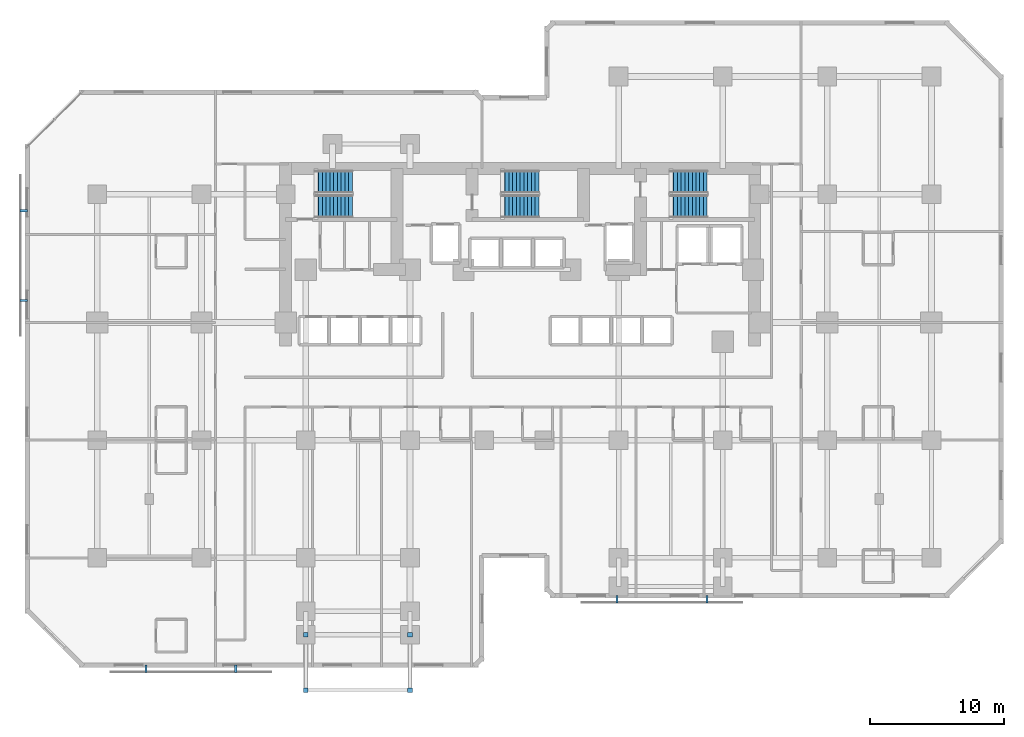
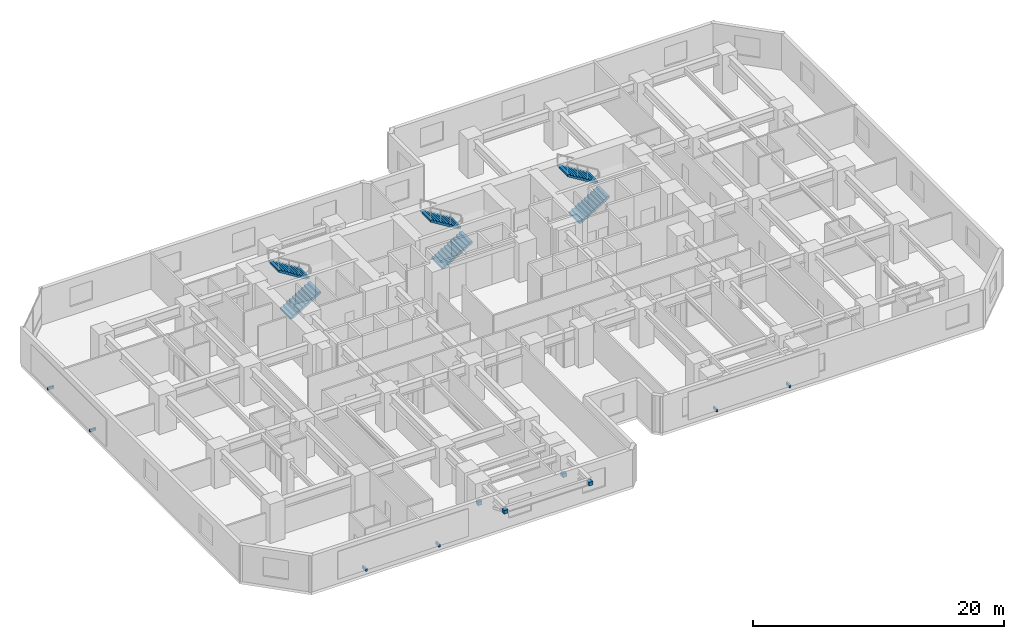
# One storey, part 10 of 12: 10 discrete accessories, 6 stair flights, 3 elements without a shape of their own.
"""IFC4 building model written with IfcOpenShell, lengths in metres."""

from ifc_helpers import new_model, si_unit, direction, frame, origin, origin_2d, place, context, subcontext, project, spatial, polyline, rectangle, outline, extrude, material, type_object, element, aggregate, save


model = new_model("IFC4")

# Units and contexts
model_context = context("Model", 3, precision=1e-05, world=origin(), true_north=direction((0.0, 1.0)))
body_context = subcontext(model_context, "Body", "Model", "MODEL_VIEW")
ifc_project = project(units=[si_unit("LENGTHUNIT", "METRE"), si_unit("AREAUNIT", "SQUARE_METRE"), si_unit("VOLUMEUNIT", "CUBIC_METRE"), si_unit("PLANEANGLEUNIT", "RADIAN"), si_unit("MASSUNIT", "GRAM", prefix="KILO")], contexts=[model_context])

# Site, building, storey
site_placement = place(None, origin())
site = spatial("IfcSite", under=ifc_project, at=site_placement, CompositionType="ELEMENT")
building_placement = place(site_placement, origin())
building = spatial("IfcBuilding", under=site, at=building_placement, Name="Kestravale Grand Hotel", CompositionType="ELEMENT")
storey_placement = place(building_placement, frame((0.0, 0.0, 26.0)))
storey = spatial("IfcBuildingStorey", under=building, at=storey_placement, Name="L05", CompositionType="ELEMENT", Elevation=26.0)

# Stair, stair flights
ifc_material_1 = material(Name="Concrete f'c 45 MPa", Category="concrete")
stair_type = type_object("IfcStairType", Name="ST-CORE-380", PredefinedType="HALF_TURN_STAIR", material=ifc_material_1)
stair_1_placement = place(storey_placement, origin())
stair_1 = element("IfcStair", 1, at=stair_1_placement, inside=storey, type_object=stair_type, Name="L05 ST-1", PredefinedType="HALF_TURN_STAIR")
ifc_material_2 = material(Name="Concrete f'c 45 MPa", Category="concrete")
stair_flight_type = type_object("IfcStairFlightType", Name="STF-CORE-380", PredefinedType="STRAIGHT", material=ifc_material_2)
stair_flight_1_placement = place(storey_placement, frame((24.080078125, 37.489990234375, 0.0), z_axis=(0.0, 0.0, 1.0), x_axis=(1.0, 0.0, 0.0)))
stair_flight_1 = element("IfcStairFlight", 2, at=stair_flight_1_placement, type_object=stair_flight_type, Name="ST-1 flight 1", NumberOfRisers=11, NumberOfTreads=10, PredefinedType="STRAIGHT", RiserHeight=0.172727273, TreadLength=0.28, context=body_context, shape_type="SweptSolid", body=[
    extrude(outline(polyline([(0.0, 0.0), (0.0, 0.172607421875), (0.280029296875, 0.172607421875), (0.280029296875, 0.345458984375), (0.56005859375, 0.345458984375), (0.56005859375, 0.51806640625), (0.840087890625, 0.51806640625), (0.840087890625, 0.69091796875), (1.1201171875, 0.69091796875), (1.1201171875, 0.863525390625), (1.39990234375, 0.863525390625), (1.39990234375, 1.036376953125), (1.679931640625, 1.036376953125), (1.679931640625, 1.208984375), (1.9599609375, 1.208984375), (1.9599609375, 1.3818359375), (2.239990234375, 1.3818359375), (2.239990234375, 1.554443359375), (2.52001953125, 1.554443359375), (2.52001953125, 1.727294921875), (2.800048828125, 1.727294921875), (2.800048828125, 1.89990234375), (2.800048828125, 1.551025390625), (0.285400390625, 0.0), (0.0, 0.0)])), frame((0.0, 0.83984375, 0.0), z_axis=(0.0, -1.0, 0.0), x_axis=(1.0, 0.0, 0.0)), (0.0, 0.0, 1.0), 1.679931640625),
])
stair_flight_2_placement = place(storey_placement, frame((26.8798828125, 39.320068359375, 1.89990234375), z_axis=(0.0, 0.0, 1.0), x_axis=(-1.0, 0.0, 0.0)))
stair_flight_2 = element("IfcStairFlight", 3, at=stair_flight_2_placement, type_object=stair_flight_type, Name="ST-1 flight 2", NumberOfRisers=11, NumberOfTreads=10, PredefinedType="STRAIGHT", RiserHeight=0.172727273, TreadLength=0.28, context=body_context, shape_type="SweptSolid", body=[
    extrude(outline(polyline([(0.0, 0.0), (0.0, 0.172607421875), (0.280029296875, 0.172607421875), (0.280029296875, 0.345458984375), (0.56005859375, 0.345458984375), (0.56005859375, 0.51806640625), (0.840087890625, 0.51806640625), (0.840087890625, 0.69091796875), (1.1201171875, 0.69091796875), (1.1201171875, 0.863525390625), (1.39990234375, 0.863525390625), (1.39990234375, 1.036376953125), (1.679931640625, 1.036376953125), (1.679931640625, 1.208984375), (1.9599609375, 1.208984375), (1.9599609375, 1.3818359375), (2.239990234375, 1.3818359375), (2.239990234375, 1.554443359375), (2.52001953125, 1.554443359375), (2.52001953125, 1.727294921875), (2.800048828125, 1.727294921875), (2.800048828125, 1.89990234375), (2.800048828125, 1.551025390625), (0.285400390625, 0.0), (0.0, 0.0)])), frame((0.0, 0.83984375, 0.0), z_axis=(0.0, -1.0, 0.0), x_axis=(1.0, 0.0, 0.0)), (0.0, 0.0, 1.0), 1.679931640625),
])
aggregate(stair_1, [stair_flight_1, stair_flight_2])

stair_2_placement = place(storey_placement, origin())
stair_2 = element("IfcStair", 4, at=stair_2_placement, inside=storey, type_object=stair_type, Name="L05 ST-2", PredefinedType="HALF_TURN_STAIR")
stair_flight_3_placement = place(storey_placement, frame((38.030029296875, 37.489990234375, 0.0), z_axis=(0.0, 0.0, 1.0), x_axis=(1.0, 0.0, 0.0)))
stair_flight_3 = element("IfcStairFlight", 5, at=stair_flight_3_placement, type_object=stair_flight_type, Name="ST-2 flight 1", NumberOfRisers=11, NumberOfTreads=10, PredefinedType="STRAIGHT", RiserHeight=0.172727273, TreadLength=0.28, context=body_context, shape_type="SweptSolid", body=[
    extrude(outline(polyline([(0.0, 0.0), (0.0, 0.172607421875), (0.280029296875, 0.172607421875), (0.280029296875, 0.345458984375), (0.56005859375, 0.345458984375), (0.56005859375, 0.51806640625), (0.840087890625, 0.51806640625), (0.840087890625, 0.69091796875), (1.1201171875, 0.69091796875), (1.1201171875, 0.863525390625), (1.39990234375, 0.863525390625), (1.39990234375, 1.036376953125), (1.679931640625, 1.036376953125), (1.679931640625, 1.208984375), (1.9599609375, 1.208984375), (1.9599609375, 1.3818359375), (2.239990234375, 1.3818359375), (2.239990234375, 1.554443359375), (2.52001953125, 1.554443359375), (2.52001953125, 1.727294921875), (2.800048828125, 1.727294921875), (2.800048828125, 1.89990234375), (2.800048828125, 1.551025390625), (0.285400390625, 0.0), (0.0, 0.0)])), frame((0.0, 0.83984375, 0.0), z_axis=(0.0, -1.0, 0.0), x_axis=(1.0, 0.0, 0.0)), (0.0, 0.0, 1.0), 1.679931640625),
])
stair_flight_4_placement = place(storey_placement, frame((40.830078125, 39.320068359375, 1.89990234375), z_axis=(0.0, 0.0, 1.0), x_axis=(-1.0, 0.0, 0.0)))
stair_flight_4 = element("IfcStairFlight", 6, at=stair_flight_4_placement, type_object=stair_flight_type, Name="ST-2 flight 2", NumberOfRisers=11, NumberOfTreads=10, PredefinedType="STRAIGHT", RiserHeight=0.172727273, TreadLength=0.28, context=body_context, shape_type="SweptSolid", body=[
    extrude(outline(polyline([(0.0, 0.0), (0.0, 0.172607421875), (0.280029296875, 0.172607421875), (0.280029296875, 0.345458984375), (0.56005859375, 0.345458984375), (0.56005859375, 0.51806640625), (0.840087890625, 0.51806640625), (0.840087890625, 0.69091796875), (1.1201171875, 0.69091796875), (1.1201171875, 0.863525390625), (1.39990234375, 0.863525390625), (1.39990234375, 1.036376953125), (1.679931640625, 1.036376953125), (1.679931640625, 1.208984375), (1.9599609375, 1.208984375), (1.9599609375, 1.3818359375), (2.239990234375, 1.3818359375), (2.239990234375, 1.554443359375), (2.52001953125, 1.554443359375), (2.52001953125, 1.727294921875), (2.800048828125, 1.727294921875), (2.800048828125, 1.89990234375), (2.800048828125, 1.551025390625), (0.285400390625, 0.0), (0.0, 0.0)])), frame((0.0, 0.83984375, 0.0), z_axis=(0.0, -1.0, 0.0), x_axis=(1.0, 0.0, 0.0)), (0.0, 0.0, 1.0), 1.679931640625),
])
aggregate(stair_2, [stair_flight_3, stair_flight_4])

stair_3_placement = place(storey_placement, origin())
stair_3 = element("IfcStair", 7, at=stair_3_placement, inside=storey, type_object=stair_type, Name="L05 ST-3", PredefinedType="HALF_TURN_STAIR")
stair_flight_5_placement = place(storey_placement, frame((50.6298828125, 37.489990234375, 0.0), z_axis=(0.0, 0.0, 1.0), x_axis=(1.0, 0.0, 0.0)))
stair_flight_5 = element("IfcStairFlight", 8, at=stair_flight_5_placement, type_object=stair_flight_type, Name="ST-3 flight 1", NumberOfRisers=11, NumberOfTreads=10, PredefinedType="STRAIGHT", RiserHeight=0.172727273, TreadLength=0.28, context=body_context, shape_type="SweptSolid", body=[
    extrude(outline(polyline([(0.0, 0.0), (0.0, 0.172607421875), (0.280029296875, 0.172607421875), (0.280029296875, 0.345458984375), (0.56005859375, 0.345458984375), (0.56005859375, 0.51806640625), (0.840087890625, 0.51806640625), (0.840087890625, 0.69091796875), (1.1201171875, 0.69091796875), (1.1201171875, 0.863525390625), (1.39990234375, 0.863525390625), (1.39990234375, 1.036376953125), (1.679931640625, 1.036376953125), (1.679931640625, 1.208984375), (1.9599609375, 1.208984375), (1.9599609375, 1.3818359375), (2.239990234375, 1.3818359375), (2.239990234375, 1.554443359375), (2.52001953125, 1.554443359375), (2.52001953125, 1.727294921875), (2.800048828125, 1.727294921875), (2.800048828125, 1.89990234375), (2.800048828125, 1.551025390625), (0.285400390625, 0.0), (0.0, 0.0)])), frame((0.0, 0.83984375, 0.0), z_axis=(0.0, -1.0, 0.0), x_axis=(1.0, 0.0, 0.0)), (0.0, 0.0, 1.0), 1.679931640625),
])
stair_flight_6_placement = place(storey_placement, frame((53.429931640625, 39.320068359375, 1.89990234375), z_axis=(0.0, 0.0, 1.0), x_axis=(-1.0, 0.0, 0.0)))
stair_flight_6 = element("IfcStairFlight", 9, at=stair_flight_6_placement, type_object=stair_flight_type, Name="ST-3 flight 2", NumberOfRisers=11, NumberOfTreads=10, PredefinedType="STRAIGHT", RiserHeight=0.172727273, TreadLength=0.28, context=body_context, shape_type="SweptSolid", body=[
    extrude(outline(polyline([(0.0, 0.0), (0.0, 0.172607421875), (0.280029296875, 0.172607421875), (0.280029296875, 0.345458984375), (0.56005859375, 0.345458984375), (0.56005859375, 0.51806640625), (0.840087890625, 0.51806640625), (0.840087890625, 0.69091796875), (1.1201171875, 0.69091796875), (1.1201171875, 0.863525390625), (1.39990234375, 0.863525390625), (1.39990234375, 1.036376953125), (1.679931640625, 1.036376953125), (1.679931640625, 1.208984375), (1.9599609375, 1.208984375), (1.9599609375, 1.3818359375), (2.239990234375, 1.3818359375), (2.239990234375, 1.554443359375), (2.52001953125, 1.554443359375), (2.52001953125, 1.727294921875), (2.800048828125, 1.727294921875), (2.800048828125, 1.89990234375), (2.800048828125, 1.551025390625), (0.285400390625, 0.0), (0.0, 0.0)])), frame((0.0, 0.83984375, 0.0), z_axis=(0.0, -1.0, 0.0), x_axis=(1.0, 0.0, 0.0)), (0.0, 0.0, 1.0), 1.679931640625),
])
aggregate(stair_3, [stair_flight_5, stair_flight_6])

# Discrete accessories
ifc_material_3 = material(Name="Steel ASTM A572 Grade 50 hot-dip galvanised bracket", Category="steel")
discrete_accessory_type = type_object("IfcDiscreteAccessoryType", Name="ACC-BRK-STL", PredefinedType="BRACKET", material=ifc_material_3)
for number, where, z_axis, x_axis, name in (
    (10, (23.39990234375, 5.449951171875, 1.19384765625), (0.0, 0.0, 1.0), (1.0, 0.0, 0.0), "L06 terrace strut column bracket 1"),
    (11, (23.39990234375, 1.300048828125, 2.89404296875), (0.0, 0.0, 1.0), (1.0, 0.0, 0.0), "L06 terrace strut beam bracket 1"),
    (12, (31.199951171875, 5.449951171875, 1.19384765625), (0.0, 0.0, 1.0), (1.0, 0.0, 0.0), "L06 terrace strut column bracket 2"),
    (13, (31.199951171875, 1.300048828125, 2.89404296875), (0.0, 0.0, 1.0), (1.0, 0.0, 0.0), "L06 terrace strut beam bracket 2"),
):
    element("IfcDiscreteAccessory", number, at=place(storey_placement, frame(where, z_axis=z_axis, x_axis=x_axis)), inside=storey, type_object=discrete_accessory_type, Name=name, PredefinedType="BRACKET", context=body_context, shape_type="SweptSolid", body=[
        extrude(rectangle(XDim=0.360107421875, YDim=0.360107421875, at=origin_2d()), origin(), (0.0, 0.0, 1.0), 0.360107421875),
    ])
for number, where, z_axis, x_axis, name in (
    (14, (11.43994140625, 2.905029296875, 0.56005859375), (0.0, 0.0, 1.0), (1.0, 0.0, 0.0), "L05 solar screen standoff bracket 1"),
    (15, (18.159912109375, 2.905029296875, 0.56005859375), (0.0, 0.0, 1.0), (1.0, 0.0, 0.0), "L05 solar screen standoff bracket 2"),
    (16, (46.68994140625, 8.10498046875, 0.56005859375), (0.0, 0.0, 1.0), (1.0, 0.0, 0.0), "L05 solar screen standoff bracket 1"),
    (17, (53.409912109375, 8.10498046875, 0.56005859375), (0.0, 0.0, 1.0), (1.0, 0.0, 0.0), "L05 solar screen standoff bracket 2"),
    (18, (2.304931640625, 37.159912109375, 0.56005859375), (0.0, 0.0, 1.0), (0.0, -1.0, 0.0), "L05 solar screen standoff bracket 1"),
    (19, (2.304931640625, 30.43994140625, 0.56005859375), (0.0, 0.0, 1.0), (0.0, -1.0, 0.0), "L05 solar screen standoff bracket 2"),
):
    element("IfcDiscreteAccessory", number, at=place(storey_placement, frame(where, z_axis=z_axis, x_axis=x_axis)), inside=storey, type_object=discrete_accessory_type, Name=name, PredefinedType="BRACKET", context=body_context, shape_type="SweptSolid", body=[
        extrude(rectangle(XDim=0.159912109375, YDim=0.56005859375, at=origin_2d()), origin(), (0.0, 0.0, 1.0), 0.239990234375),
    ])

save(model, "model.ifc")
